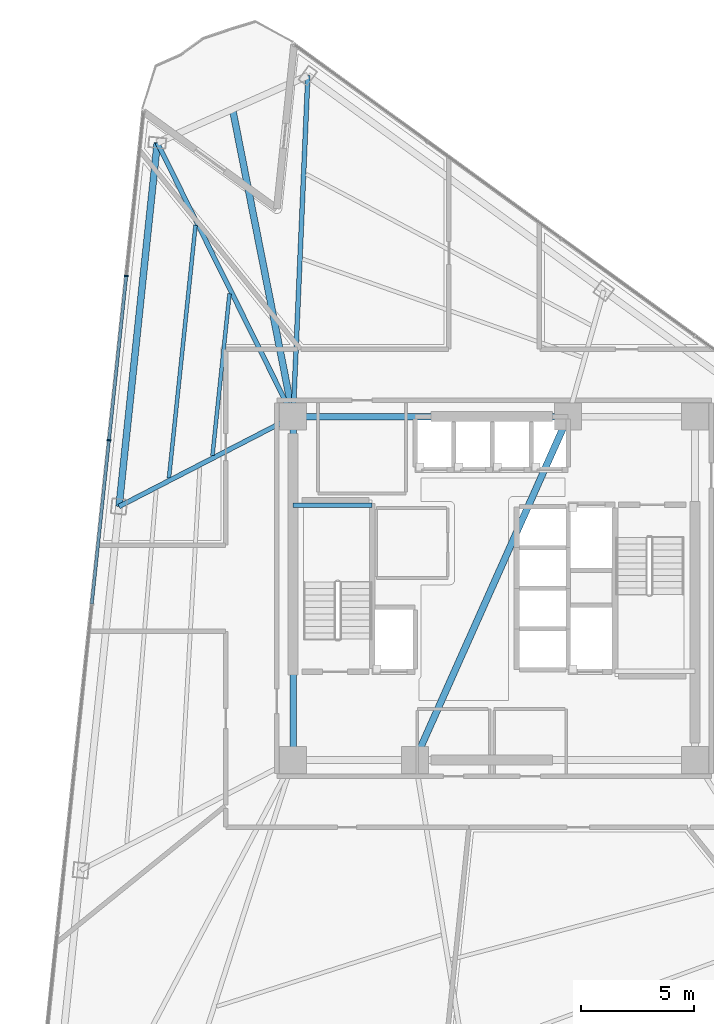
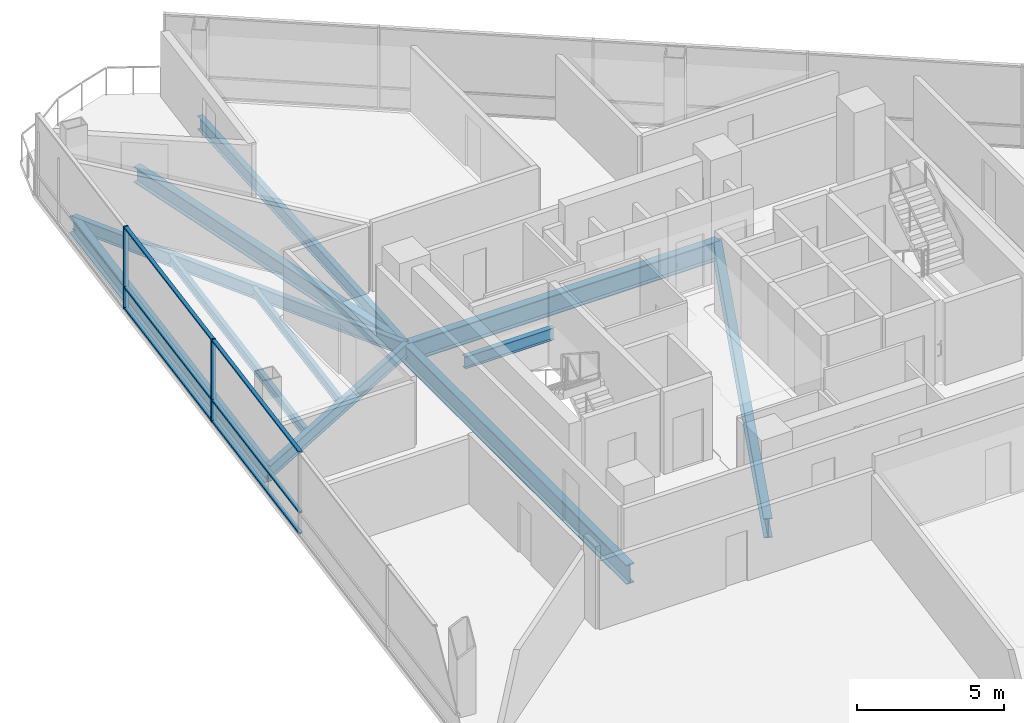
# One storey, part 7 of 17: 11 beams, 8 members, 1 element without a shape of its own.
"""IFC4 building model written with IfcOpenShell, lengths in metres."""

from ifc_helpers import new_model, si_unit, direction, frame, origin, origin_2d, place, context, subcontext, project, spatial, rectangle, i_section, extrude, material, layer, layer_set, material_profile, profile_set, type_object, element, aggregate, save


model = new_model("IFC4")

# Units and contexts
model_context = context("Model", 3, precision=1e-05, world=origin(), true_north=direction((0.0, 1.0)))
body_context = subcontext(model_context, "Body", "Model", "MODEL_VIEW")
ifc_project = project(units=[si_unit("LENGTHUNIT", "METRE"), si_unit("AREAUNIT", "SQUARE_METRE"), si_unit("VOLUMEUNIT", "CUBIC_METRE"), si_unit("PLANEANGLEUNIT", "RADIAN"), si_unit("MASSUNIT", "GRAM", prefix="KILO")], contexts=[model_context])

# Site, building, storey
site_placement = place(None, origin())
site = spatial("IfcSite", under=ifc_project, at=site_placement, CompositionType="ELEMENT")
building_placement = place(site_placement, origin())
building = spatial("IfcBuilding", under=site, at=building_placement, Name="Tharavind Bronze Gate", CompositionType="ELEMENT")
storey_placement = place(building_placement, frame((0.0, 0.0, 119.64990234375)))
storey = spatial("IfcBuildingStorey", under=building, at=storey_placement, Name="L30", CompositionType="ELEMENT", Elevation=119.64990234375)

# Curtain wall, members
ifc_material_1 = material(Name="Anodised Bronze Aluminium", Category="aluminium")
ifc_layer = layer(ifc_material_1, 0.219970703125)
ifc_layer_set = layer_set([ifc_layer], Name="Anodised Bronze Aluminium")
curtain_wall_type = type_object("IfcCurtainWallType", Name="UNITISED CURTAIN WALL LOWER OFFICE", PredefinedType="USERDEFINED", material=ifc_layer_set)
curtain_wall_placement = place(storey_placement, origin())
curtain_wall = element("IfcCurtainWall", 1, at=curtain_wall_placement, inside=storey, type_object=curtain_wall_type, Name="L30 unitised curtain wall lower office CW-L30-S1", ObjectType="UNITISED CURTAIN WALL", PredefinedType="USERDEFINED")
member_type_1 = type_object("IfcMemberType", Name="CURTAIN WALL BRONZE MULLION 65X180", PredefinedType="MULLION", material=ifc_material_1)
member_1_placement = place(storey_placement, frame((-16.2919921875, 13.828369140625, 0.0), z_axis=(0.0, 0.0, 1.0), x_axis=(-0.104526727499, -0.994522077803, 0.0)))
member_1 = element("IfcMember", 2, at=member_1_placement, type_object=member_type_1, Name="CW-L30-S1 mullion 2", PredefinedType="MULLION", context=body_context, shape_type="SweptSolid", body=[
    extrude(rectangle(XDim=0.06494140625, YDim=0.179931640625, at=origin_2d()), origin(), (0.0, 0.0, 1.0), 3.409912109375),
])
member_2_placement = place(storey_placement, frame((-17.056396484375, 6.55517578125, 0.0), z_axis=(0.0, 0.0, 1.0), x_axis=(-0.104526727499, -0.994522077803, 0.0)))
member_2 = element("IfcMember", 3, at=member_2_placement, type_object=member_type_1, Name="CW-L30-S1 mullion 3", PredefinedType="MULLION", context=body_context, shape_type="SweptSolid", body=[
    extrude(rectangle(XDim=0.06494140625, YDim=0.179931640625, at=origin_2d()), origin(), (0.0, 0.0, 1.0), 3.409912109375),
])
member_type_2 = type_object("IfcMemberType", Name="CURTAIN WALL BRONZE TRANSOM 65X140", PredefinedType="USERDEFINED", material=ifc_material_1)
member_3_placement = place(storey_placement, frame((-16.67431640625, 10.19189453125, 0.000244140625), z_axis=(0.0, 0.0, 1.0), x_axis=(-0.104526727499, -0.994522077803, 0.0)))
member_3 = element("IfcMember", 4, at=member_3_placement, type_object=member_type_2, Name="CW-L30-S1 transom TB2", ObjectType="TRANSOM", PredefinedType="USERDEFINED", context=body_context, shape_type="SweptSolid", body=[
    extrude(rectangle(XDim=7.26025390625, YDim=0.139892578125, at=origin_2d()), origin(), (0.0, 0.0, 1.0), 0.06494140625),
])
member_4_placement = place(storey_placement, frame((-16.67431640625, 10.19189453125, 0.86767578125), z_axis=(0.0, 0.0, 1.0), x_axis=(-0.104526727499, -0.994522077803, 0.0)))
member_4 = element("IfcMember", 5, at=member_4_placement, type_object=member_type_2, Name="CW-L30-S1 transom TS2", ObjectType="TRANSOM", PredefinedType="USERDEFINED", context=body_context, shape_type="SweptSolid", body=[
    extrude(rectangle(XDim=7.26025390625, YDim=0.139892578125, at=origin_2d()), origin(), (0.0, 0.0, 1.0), 0.06494140625),
])
member_5_placement = place(storey_placement, frame((-16.67431640625, 10.19189453125, 3.34521484375), z_axis=(0.0, 0.0, 1.0), x_axis=(-0.104526727499, -0.994522077803, 0.0)))
member_5 = element("IfcMember", 6, at=member_5_placement, type_object=member_type_2, Name="CW-L30-S1 transom TT2", ObjectType="TRANSOM", PredefinedType="USERDEFINED", context=body_context, shape_type="SweptSolid", body=[
    extrude(rectangle(XDim=7.26025390625, YDim=0.139892578125, at=origin_2d()), origin(), (0.0, 0.0, 1.0), 0.06494140625),
])
member_6_placement = place(storey_placement, frame((-17.438720703125, 2.91845703125, 0.000244140625), z_axis=(0.0, 0.0, 1.0), x_axis=(-0.104526727499, -0.994522077803, 0.0)))
member_6 = element("IfcMember", 7, at=member_6_placement, type_object=member_type_2, Name="CW-L30-S1 transom TB3", ObjectType="TRANSOM", PredefinedType="USERDEFINED", context=body_context, shape_type="SweptSolid", body=[
    extrude(rectangle(XDim=7.26025390625, YDim=0.139892578125, at=origin_2d()), origin(), (0.0, 0.0, 1.0), 0.06494140625),
])
member_7_placement = place(storey_placement, frame((-17.438720703125, 2.91845703125, 0.86767578125), z_axis=(0.0, 0.0, 1.0), x_axis=(-0.104526727499, -0.994522077803, 0.0)))
member_7 = element("IfcMember", 8, at=member_7_placement, type_object=member_type_2, Name="CW-L30-S1 transom TS3", ObjectType="TRANSOM", PredefinedType="USERDEFINED", context=body_context, shape_type="SweptSolid", body=[
    extrude(rectangle(XDim=7.26025390625, YDim=0.139892578125, at=origin_2d()), origin(), (0.0, 0.0, 1.0), 0.06494140625),
])
member_8_placement = place(storey_placement, frame((-17.438720703125, 2.91845703125, 3.34521484375), z_axis=(0.0, 0.0, 1.0), x_axis=(-0.104526727499, -0.994522077803, 0.0)))
member_8 = element("IfcMember", 9, at=member_8_placement, type_object=member_type_2, Name="CW-L30-S1 transom TT3", ObjectType="TRANSOM", PredefinedType="USERDEFINED", context=body_context, shape_type="SweptSolid", body=[
    extrude(rectangle(XDim=7.26025390625, YDim=0.139892578125, at=origin_2d()), origin(), (0.0, 0.0, 1.0), 0.06494140625),
])
aggregate(curtain_wall, [member_1, member_2, member_3, member_4, member_5, member_6, member_7, member_8])

# Beams
ifc_material_2 = material(Name="Steel S355", Category="steel")
ifc_material_profile_1 = material_profile(ifc_material_2, i_section(OverallWidth=0.300048828125, OverallDepth=0.64990234375, WebThickness=0.01611328125, FlangeThickness=0.031005859375, at=origin_2d()), Name="HE650B")
ifc_profile_set_1 = profile_set([ifc_material_profile_1], Name="Steel S355")
beam_type_1 = type_object("IfcBeamType", Name="PRIMARY GIRDER HE650B", PredefinedType="USERDEFINED", material=ifc_profile_set_1)
beam_1_placement = place(storey_placement, frame((-8.89990234375, 7.60009765625, -0.514892578125), z_axis=(-0.193337817279, 0.981132248176, 0.0), x_axis=(-0.981132248176, -0.193337817279, 0.0)))
element("IfcBeam", 10, at=beam_1_placement, inside=storey, type_object=beam_type_1, Name="L30 primary girder he650b BM-L30-BLCSB", ObjectType="GIRDER", PredefinedType="USERDEFINED", context=body_context, shape_type="SweptSolid", body=[
    extrude(i_section(OverallWidth=0.300048828125, OverallDepth=0.64990234375, WebThickness=0.01611328125, FlangeThickness=0.031005859375, at=origin_2d()), origin(), (0.0, 0.0, 1.0), 13.8779296875),
])
ifc_material_profile_2 = material_profile(ifc_material_2, i_section(OverallWidth=0.199951171875, OverallDepth=0.5, WebThickness=0.01025390625, FlangeThickness=0.01611328125, at=origin_2d()), Name="IPE500")
ifc_profile_set_2 = profile_set([ifc_material_profile_2], Name="Steel S355")
beam_type_2 = type_object("IfcBeamType", Name="PRIMARY GIRDER IPE500", PredefinedType="USERDEFINED", material=ifc_profile_set_2)
beam_2_placement = place(storey_placement, frame((-8.89990234375, 3.679931640625, 1.35009765625), z_axis=(1.0, 0.0, 0.0), x_axis=(0.0, 1.0, 0.0)))
element("IfcBeam", 11, at=beam_2_placement, inside=storey, type_object=beam_type_2, Name="L30 primary girder ipe500 BM-LD-ST1-L30-1", ObjectType="GIRDER", PredefinedType="USERDEFINED", context=body_context, shape_type="SweptSolid", body=[
    extrude(i_section(OverallWidth=0.199951171875, OverallDepth=0.5, WebThickness=0.01025390625, FlangeThickness=0.01611328125, at=origin_2d()), origin(), (0.0, 0.0, 1.0), 3.5),
])
ifc_material_profile_3 = material_profile(ifc_material_2, i_section(OverallWidth=0.2099609375, OverallDepth=0.550048828125, WebThickness=0.010986328125, FlangeThickness=0.01708984375, at=origin_2d()), Name="IPE550")
ifc_profile_set_3 = profile_set([ifc_material_profile_3], Name="Steel S355")
beam_type_3 = type_object("IfcBeamType", Name="PRIMARY GIRDER IPE550", PredefinedType="USERDEFINED", material=ifc_profile_set_3)
beam_3_placement = place(storey_placement, frame((-14.91748046875, 19.7314453125, -0.46484375), z_axis=(0.444370024662, -0.895843335177, 0.0), x_axis=(0.895843335177, 0.444370024662, 0.0)))
element("IfcBeam", 12, at=beam_3_placement, inside=storey, type_object=beam_type_3, Name="L30 primary girder ipe550 BM-L30-RAD01", ObjectType="GIRDER", PredefinedType="USERDEFINED", context=body_context, shape_type="SweptSolid", body=[
    extrude(i_section(OverallWidth=0.2099609375, OverallDepth=0.550048828125, WebThickness=0.010986328125, FlangeThickness=0.01708984375, at=origin_2d()), origin(), (0.0, 0.0, 1.0), 13.541748046875),
])
beam_4_placement = place(storey_placement, frame((-16.610595703125, 3.62158203125, -0.46484375), z_axis=(0.888676879782, 0.45853397185, 0.0), x_axis=(-0.45853397185, 0.888676879782, 0.0)))
element("IfcBeam", 13, at=beam_4_placement, inside=storey, type_object=beam_type_3, Name="L30 primary girder ipe550 BM-L30-RAD02", ObjectType="GIRDER", PredefinedType="USERDEFINED", context=body_context, shape_type="SweptSolid", body=[
    extrude(i_section(OverallWidth=0.2099609375, OverallDepth=0.550048828125, WebThickness=0.010986328125, FlangeThickness=0.01708984375, at=origin_2d()), origin(), (0.0, 0.0, 1.0), 8.676513671875),
])
beam_5_placement = place(storey_placement, frame((-8.24853515625, 22.70068359375, -0.46484375), z_axis=(-0.043095152207, -0.999070972382, 0.0), x_axis=(0.999070972382, -0.043095152207, 0.0)))
element("IfcBeam", 14, at=beam_5_placement, inside=storey, type_object=beam_type_3, Name="L30 primary girder ipe550 BM-L30-RAD12", ObjectType="GIRDER", PredefinedType="USERDEFINED", context=body_context, shape_type="SweptSolid", body=[
    extrude(i_section(OverallWidth=0.2099609375, OverallDepth=0.550048828125, WebThickness=0.010986328125, FlangeThickness=0.01708984375, at=origin_2d()), origin(), (0.0, 0.0, 1.0), 15.11474609375),
])
ifc_material_profile_4 = material_profile(ifc_material_2, i_section(OverallWidth=0.300048828125, OverallDepth=0.699951171875, WebThickness=0.01708984375, FlangeThickness=0.031982421875, at=origin_2d()), Name="HE700B")
ifc_profile_set_4 = profile_set([ifc_material_profile_4], Name="Steel S355")
beam_type_4 = type_object("IfcBeamType", Name="RING GIRDER HE700B", PredefinedType="USERDEFINED", material=ifc_profile_set_4)
beam_6_placement = place(storey_placement, frame((-14.91748046875, 19.7314453125, -0.539794921875), z_axis=(-0.104522380175, -0.994522534708, 0.0), x_axis=(0.994522534708, -0.104522380175, 0.0)))
element("IfcBeam", 15, at=beam_6_placement, inside=storey, type_object=beam_type_4, Name="L30 ring girder he700b BM-L30-PRG01", ObjectType="GIRDER", PredefinedType="USERDEFINED", context=body_context, shape_type="SweptSolid", body=[
    extrude(i_section(OverallWidth=0.300048828125, OverallDepth=0.699951171875, WebThickness=0.01708984375, FlangeThickness=0.031982421875, at=origin_2d()), origin(), (0.0, 0.0, 1.0), 16.198486328125),
])
ifc_material_profile_5 = material_profile(ifc_material_2, i_section(OverallWidth=0.300048828125, OverallDepth=0.800048828125, WebThickness=0.017578125, FlangeThickness=0.032958984375, at=origin_2d()), Name="HE800B")
ifc_profile_set_5 = profile_set([ifc_material_profile_5], Name="Steel S355")
beam_type_5 = type_object("IfcBeamType", Name="RING GIRDER HE800B", PredefinedType="USERDEFINED", material=ifc_profile_set_5)
beam_7_placement = place(storey_placement, frame((3.280029296875, 7.60009765625, -0.58984375), z_axis=(-1.0, 0.0, 0.0), x_axis=(0.0, -1.0, 0.0)))
element("IfcBeam", 16, at=beam_7_placement, inside=storey, type_object=beam_type_5, Name="L30 ring girder he800b BM-L30-CR5", ObjectType="GIRDER", PredefinedType="USERDEFINED", context=body_context, shape_type="SweptSolid", body=[
    extrude(i_section(OverallWidth=0.300048828125, OverallDepth=0.800048828125, WebThickness=0.017578125, FlangeThickness=0.032958984375, at=origin_2d()), origin(), (0.0, 0.0, 1.0), 12.179931640625),
])
beam_8_placement = place(storey_placement, frame((-8.89990234375, 7.60009765625, -0.58984375), z_axis=(0.0, -1.0, 0.0), x_axis=(1.0, 0.0, 0.0)))
element("IfcBeam", 17, at=beam_8_placement, inside=storey, type_object=beam_type_5, Name="L30 ring girder he800b BM-L30-CR6", ObjectType="GIRDER", PredefinedType="USERDEFINED", context=body_context, shape_type="SweptSolid", body=[
    extrude(i_section(OverallWidth=0.300048828125, OverallDepth=0.800048828125, WebThickness=0.017578125, FlangeThickness=0.032958984375, at=origin_2d()), origin(), (0.0, 0.0, 1.0), 15.2001953125),
])
beam_9_placement = place(storey_placement, frame((-3.5, -7.60009765625, -0.58984375), z_axis=(0.407361644566, 0.913266932795, 0.0), x_axis=(-0.913266932795, 0.407361644566, 0.0)))
element("IfcBeam", 18, at=beam_9_placement, inside=storey, type_object=beam_type_5, Name="L30 ring girder he800b BM-L30-CR7", ObjectType="GIRDER", PredefinedType="USERDEFINED", context=body_context, shape_type="SweptSolid", body=[
    extrude(i_section(OverallWidth=0.300048828125, OverallDepth=0.800048828125, WebThickness=0.017578125, FlangeThickness=0.032958984375, at=origin_2d()), origin(), (0.0, 0.0, 1.0), 16.643798828125),
])
ifc_material_profile_6 = material_profile(ifc_material_2, i_section(OverallWidth=0.169921875, OverallDepth=0.360107421875, WebThickness=0.008056640625, FlangeThickness=0.0126953125, at=origin_2d()), Name="IPE360")
ifc_profile_set_6 = profile_set([ifc_material_profile_6], Name="Steel S355")
beam_type_6 = type_object("IfcBeamType", Name="SECONDARY FLOOR JOIST IPE360", PredefinedType="JOIST", material=ifc_profile_set_6)
beam_10_placement = place(storey_placement, frame((-11.718994140625, 13.0419921875, -0.369873046875), z_axis=(-0.104536567764, -0.994521043518, 0.0), x_axis=(0.994521043518, -0.104536567764, 0.0)))
element("IfcBeam", 19, at=beam_10_placement, inside=storey, type_object=beam_type_6, Name="L30 secondary floor joist ipe360 BM-L30-JSTA01", PredefinedType="JOIST", context=body_context, shape_type="SweptSolid", body=[
    extrude(i_section(OverallWidth=0.169921875, OverallDepth=0.360107421875, WebThickness=0.008056640625, FlangeThickness=0.0126953125, at=origin_2d()), origin(), (0.0, 0.0, 1.0), 7.20263671875),
])
beam_11_placement = place(storey_placement, frame((-13.223388671875, 16.074951171875, -0.369873046875), z_axis=(-0.104516494227, -0.994523153292, 0.0), x_axis=(0.994523153292, -0.104516494227, 0.0)))
element("IfcBeam", 20, at=beam_11_placement, inside=storey, type_object=beam_type_6, Name="L30 secondary floor joist ipe360 BM-L30-JSTB01", PredefinedType="JOIST", context=body_context, shape_type="SweptSolid", body=[
    extrude(i_section(OverallWidth=0.169921875, OverallDepth=0.360107421875, WebThickness=0.008056640625, FlangeThickness=0.0126953125, at=origin_2d()), origin(), (0.0, 0.0, 1.0), 11.251953125),
])

save(model, "model.ifc")
